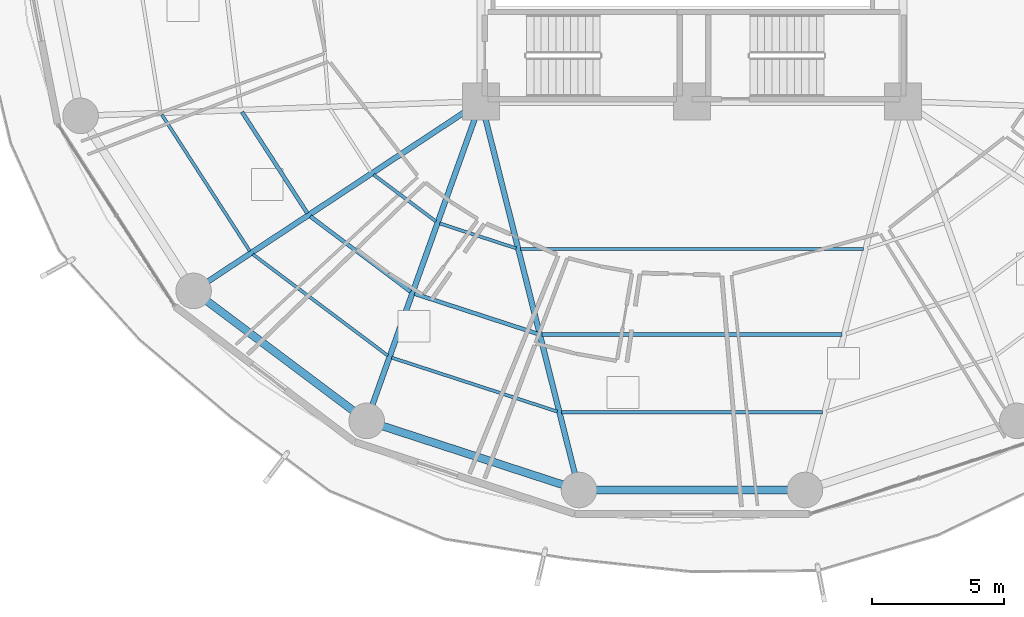
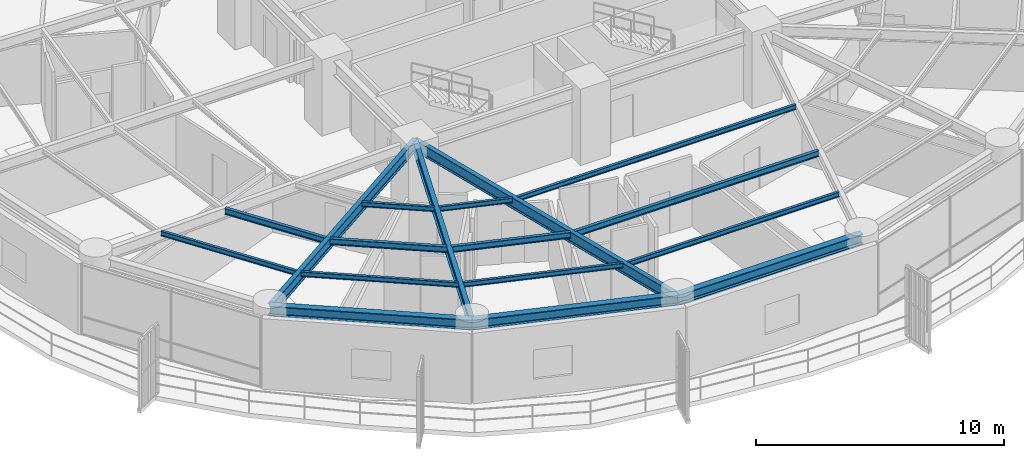
# One storey, part 3 of 33: 17 beams.
"""IFC4 building model written with IfcOpenShell, lengths in metres."""

import ifcopenshell
import ifcopenshell.guid

model = None  # the IFC model being written
_history = None  # IfcOwnerHistory: only IFC2X3 demands one
_inside = {}  # id of a spatial element -> (the spatial element, [elements in it])
_under = {}  # id of a project, library or spatial element -> (it, [spatial elements below it])
_declared = {}  # id of a project -> (the project, [libraries it declares])
_typed = {}  # id of a type object -> (the type object, [elements of that type])
_made_of = {}  # id of a material, layer set ... -> (it, [elements and type objects made of it])


def new_model(schema):
    """Start an empty IFC model of exactly this schema.

    Asked for "IFC4X3", IfcOpenShell would pick the latest addendum, in which some entities
    have other attributes; the version numbers below select the first issue.
    IFC2X3 requires an IfcOwnerHistory on every rooted entity: one is made here for all.
    """
    global model, _history
    if schema == "IFC4X3":
        model = ifcopenshell.file(schema_version=(4, 3, 0, 0))
    else:
        model = ifcopenshell.file(schema=schema)
    _inside.clear()
    _under.clear()
    _declared.clear()
    _typed.clear()
    _made_of.clear()
    _history = None
    if model.schema == "IFC2X3":
        org = make("IfcOrganization", Name="unknown")
        user = make(
            "IfcPersonAndOrganization",
            ThePerson=make("IfcPerson", FamilyName="unknown"),
            TheOrganization=org,
        )
        app = make(
            "IfcApplication",
            ApplicationDeveloper=org,
            Version="unknown",
            ApplicationFullName="unknown",
            ApplicationIdentifier="unknown",
        )
        _history = make(
            "IfcOwnerHistory",
            OwningUser=user,
            OwningApplication=app,
            ChangeAction="ADDED",
            CreationDate=0,
        )
    return model


def make(cls, **values):
    """One entity of the class cls with the attributes given. An attribute that is None is left unset."""
    return model.create_entity(
        cls, **{name: value for name, value in values.items() if value is not None}
    )


def rooted(cls, **values):
    """An entity with a GlobalId (a new one), such as an element, a storey or a relation."""
    return make(cls, GlobalId=ifcopenshell.guid.new(), OwnerHistory=_history, **values)


def si_unit(unit_type, name, prefix=None):
    """IfcSIUnit, for example si_unit("LENGTHUNIT", "METRE", prefix="MILLI")."""
    return make("IfcSIUnit", UnitType=unit_type, Prefix=prefix, Name=name)


def assignment(units):
    """IfcUnitAssignment: the units of a project."""
    return None if units is None else make("IfcUnitAssignment", Units=units)


def point(xyz):
    """IfcCartesianPoint."""
    return None if xyz is None else make("IfcCartesianPoint", Coordinates=xyz)


def direction(xyz):
    """IfcDirection."""
    return None if xyz is None else make("IfcDirection", DirectionRatios=xyz)


def frame(location, z_axis=None, x_axis=None):
    """IfcAxis2Placement3D, a coordinate frame: its origin and axes. An axis left out is left unset."""
    return make(
        "IfcAxis2Placement3D",
        Location=point(location),
        Axis=direction(z_axis),
        RefDirection=direction(x_axis),
    )


def frame_2d(location, x_axis=None):
    """IfcAxis2Placement2D, a coordinate frame in the plane: its origin and x axis."""
    return make(
        "IfcAxis2Placement2D", Location=point(location), RefDirection=direction(x_axis)
    )


def origin():
    """The frame at (0, 0, 0) with its axes left unset."""
    return frame((0.0, 0.0, 0.0))


def origin_2d():
    """The frame at (0, 0) in the plane with its x axis left unset."""
    return frame_2d((0.0, 0.0))


def place(relative_to, where):
    """IfcLocalPlacement: puts the frame where relative to a parent placement (None: the world)."""
    return make(
        "IfcLocalPlacement", PlacementRelTo=relative_to, RelativePlacement=where
    )


def context(
    kind, dimensions, precision=None, world=None, true_north=None, identifier=None
):
    """IfcGeometricRepresentationContext, for example the 3D "Model" context."""
    return make(
        "IfcGeometricRepresentationContext",
        ContextIdentifier=identifier,
        ContextType=kind,
        CoordinateSpaceDimension=dimensions,
        Precision=precision,
        WorldCoordinateSystem=world,
        TrueNorth=true_north,
    )


def subcontext(parent, identifier, kind, view, scale=None):
    """IfcGeometricRepresentationSubContext, for example "Body" below "Model"."""
    return make(
        "IfcGeometricRepresentationSubContext",
        ContextIdentifier=identifier,
        ContextType=kind,
        ParentContext=parent,
        TargetScale=scale,
        TargetView=view,
    )


def project(units=None, contexts=None):
    """IfcProject with its units and contexts."""
    return rooted(
        "IfcProject",
        Name="project",
        RepresentationContexts=contexts,
        UnitsInContext=assignment(units),
    )


def spatial(cls, under=None, at=None, **own):
    """A site, building, storey or space (cls), placed at a placement, below another one or the project."""
    s = rooted(cls, ObjectPlacement=at, **own)
    if under is not None:
        _under.setdefault(under.id(), (under, []))[1].append(s)
    return s


def profile(cls, at=None, kind="AREA", **sizes):
    """A parametric profile (cls). Its sizes go by their IFC names, for example OverallWidth=200.0."""
    return make(cls, ProfileType=kind, Position=at, **sizes)


def i_section(**sizes):
    """IfcIShapeProfileDef."""
    return profile("IfcIShapeProfileDef", **sizes)


def extrude(swept, where, along, depth):
    """IfcExtrudedAreaSolid: the profile swept, set in the frame where, extruded along a direction by depth."""
    return make(
        "IfcExtrudedAreaSolid",
        SweptArea=swept,
        Position=where,
        ExtrudedDirection=direction(along),
        Depth=depth,
    )


def shape(context_of_items, identifier, shape_type, items):
    """IfcShapeRepresentation: the items that make up one representation, for example the "Body"."""
    return make(
        "IfcShapeRepresentation",
        ContextOfItems=context_of_items,
        RepresentationIdentifier=identifier,
        RepresentationType=shape_type,
        Items=items,
    )


def material(Name=None, Category=None):
    """IfcMaterial."""
    return make("IfcMaterial", Name=Name, Category=Category)


def material_profile(
    of_material, cross_section, Name=None, Category=None, Priority=None
):
    """IfcMaterialProfile: a cross section and its material."""
    return make(
        "IfcMaterialProfile",
        Name=Name,
        Material=of_material,
        Profile=cross_section,
        Priority=Priority,
        Category=Category,
    )


def profile_set(profiles, Name=None, composite=None):
    """IfcMaterialProfileSet."""
    return make(
        "IfcMaterialProfileSet",
        Name=Name,
        MaterialProfiles=profiles,
        CompositeProfile=composite,
    )


def made_of(thing, what):
    """Note that an element or type object is made of a material, layer set ...; save() writes the relation."""
    if what is not None:
        _made_of.setdefault(what.id(), (what, []))[1].append(thing)
    return thing


def type_object(cls, material=None, **own):
    """A type object (cls), such as IfcWallType, which elements share."""
    return made_of(rooted(cls, **own), material)


def element(
    cls,
    number,
    at=None,
    inside=None,
    cuts=None,
    type_object=None,
    material=None,
    context=None,
    identifier="Body",
    shape_type=None,
    held_by="IfcProductDefinitionShape",
    body=None,
    shapes=None,
    **own,
):
    """One element of the class cls, such as IfcWall. Its Tag is "e" and its number.

    at: its placement. inside: the storey or other place that contains it. cuts: it is an
    opening in that element (IfcRelVoidsElement). A single representation is given by context,
    identifier, shape_type and body (its items); several are given by shapes. held_by: the class
    of the entity that holds the representations. save() writes the other relations.
    """
    e = rooted(cls, Tag="e%d" % number, ObjectPlacement=at, **own)
    if body is not None:
        shapes = [shape(context, identifier, shape_type, body)]
    if shapes is not None:
        e.Representation = make(held_by, Representations=shapes)
    if inside is not None:
        _inside.setdefault(inside.id(), (inside, []))[1].append(e)
    if cuts is not None:
        rooted(
            "IfcRelVoidsElement", RelatingBuildingElement=cuts, RelatedOpeningElement=e
        )
    if type_object is not None:
        _typed.setdefault(type_object.id(), (type_object, []))[1].append(e)
    return made_of(e, material)


def aggregate(whole, parts):
    """IfcRelAggregates: a whole, such as a stair, and the parts it consists of."""
    return rooted("IfcRelAggregates", RelatingObject=whole, RelatedObjects=parts)


def save(model, path):
    """Write the relations noted so far, then the file.

    IfcRelAggregates (storeys below a building ...), IfcRelContainedInSpatialStructure (elements
    in a storey), IfcRelDefinesByType, IfcRelAssociatesMaterial and IfcRelDeclares: one each for
    every whole, place, type object, material and project.
    """
    for whole, parts in _under.values():
        aggregate(whole, parts)
    for where, things in _inside.values():
        rooted(
            "IfcRelContainedInSpatialStructure",
            RelatedElements=things,
            RelatingStructure=where,
        )
    for kind, things in _typed.values():
        rooted("IfcRelDefinesByType", RelatedObjects=things, RelatingType=kind)
    for what, things in _made_of.values():
        rooted("IfcRelAssociatesMaterial", RelatedObjects=things, RelatingMaterial=what)
    for by, libraries in _declared.values():
        rooted("IfcRelDeclares", RelatingContext=by, RelatedDefinitions=libraries)
    model.write(path)


model = new_model("IFC4")

# Units and contexts
model_context = context("Model", 3, precision=1e-05, world=origin(), true_north=direction((0.0, 1.0)))
body_context = subcontext(model_context, "Body", "Model", "MODEL_VIEW")
ifc_project = project(units=[si_unit("LENGTHUNIT", "METRE"), si_unit("AREAUNIT", "SQUARE_METRE"), si_unit("VOLUMEUNIT", "CUBIC_METRE"), si_unit("PLANEANGLEUNIT", "RADIAN"), si_unit("MASSUNIT", "GRAM", prefix="KILO")], contexts=[model_context])

# Site, building, storey
site_placement = place(None, origin())
site = spatial("IfcSite", under=ifc_project, at=site_placement, CompositionType="ELEMENT")
building_placement = place(site_placement, origin())
building = spatial("IfcBuilding", under=site, at=building_placement, Name="Kelanora Arch Commons", CompositionType="ELEMENT")
storey_placement = place(building_placement, frame((0.0, 0.0, 80.10009765625)))
storey = spatial("IfcBuildingStorey", under=building, at=storey_placement, Name="L20", CompositionType="ELEMENT", Elevation=80.10009765625)

# Beams
ifc_material = material(Name="Steel S355", Category="steel")
ifc_material_profile_1 = material_profile(ifc_material, i_section(OverallWidth=0.14990234375, OverallDepth=0.300048828125, WebThickness=0.007080078125, FlangeThickness=0.0107421875, FilletRadius=0.014892578125, at=origin_2d()), Name="IPE300")
ifc_profile_set_1 = profile_set([ifc_material_profile_1], Name="Steel S355")
beam_type_1 = type_object("IfcBeamType", Name="BM-JST-01", PredefinedType="JOIST", material=ifc_profile_set_1)
beam_1_placement = place(storey_placement, frame((56.93115234375, 50.597412109375, 3.33984375), z_axis=(0.542230243286, -0.840229946661, 0.0), x_axis=(0.840229946661, 0.542230243286, 0.0)))
element("IfcBeam", 1, at=beam_1_placement, inside=storey, type_object=beam_type_1, Name="Secondary Chord Joist BJB-20 L20", PredefinedType="JOIST", context=body_context, shape_type="SweptSolid", body=[
    extrude(i_section(OverallWidth=0.14990234375, OverallDepth=0.300048828125, WebThickness=0.007080078125, FlangeThickness=0.0107421875, FilletRadius=0.014892578125, at=origin_2d()), origin(), (0.0, 0.0, 1.0), 4.572265625),
])
beam_2_placement = place(storey_placement, frame((59.5244140625, 46.63330078125, 3.33984375), z_axis=(0.79971039107, -0.600385951214, 0.0), x_axis=(0.600385951214, 0.79971039107, 0.0)))
element("IfcBeam", 2, at=beam_2_placement, inside=storey, type_object=beam_type_1, Name="Secondary Chord Joist BJB-22 L20", PredefinedType="JOIST", context=body_context, shape_type="SweptSolid", body=[
    extrude(i_section(OverallWidth=0.14990234375, OverallDepth=0.300048828125, WebThickness=0.007080078125, FlangeThickness=0.0107421875, FilletRadius=0.014892578125, at=origin_2d()), origin(), (0.0, 0.0, 1.0), 4.756103515625),
])
beam_3_placement = place(storey_placement, frame((63.476806640625, 43.70068359375, 3.33984375), z_axis=(0.950857140254, -0.309629938521, 0.0), x_axis=(0.309629938521, 0.950857140254, 0.0)))
element("IfcBeam", 3, at=beam_3_placement, inside=storey, type_object=beam_type_1, Name="Secondary Chord Joist BJB-24 L20", PredefinedType="JOIST", context=body_context, shape_type="SweptSolid", body=[
    extrude(i_section(OverallWidth=0.14990234375, OverallDepth=0.300048828125, WebThickness=0.007080078125, FlangeThickness=0.0107421875, FilletRadius=0.014892578125, at=origin_2d()), origin(), (0.0, 0.0, 1.0), 4.912353515625),
])
beam_4_placement = place(storey_placement, frame((68.313720703125, 42.1533203125, 3.33984375), z_axis=(1.0, 0.0, 0.0), x_axis=(0.0, 1.0, 0.0)))
element("IfcBeam", 4, at=beam_4_placement, inside=storey, type_object=beam_type_1, Name="Secondary Chord Joist BJB-26 L20", PredefinedType="JOIST", context=body_context, shape_type="SweptSolid", body=[
    extrude(i_section(OverallWidth=0.14990234375, OverallDepth=0.300048828125, WebThickness=0.007080078125, FlangeThickness=0.0107421875, FilletRadius=0.014892578125, at=origin_2d()), origin(), (0.0, 0.0, 1.0), 11.37255859375),
])
ifc_material_profile_2 = material_profile(ifc_material, i_section(OverallWidth=0.1201171875, OverallDepth=0.239990234375, WebThickness=0.006103515625, FlangeThickness=0.009765625, FilletRadius=0.014892578125, at=origin_2d()), Name="IPE240")
ifc_profile_set_2 = profile_set([ifc_material_profile_2], Name="Steel S355")
beam_type_2 = type_object("IfcBeamType", Name="BM-JST-02", PredefinedType="JOIST", material=ifc_profile_set_2)
beam_5_placement = place(storey_placement, frame((53.892822265625, 50.487060546875, 3.369873046875), z_axis=(0.542212726273, -0.840241250754, 0.0), x_axis=(0.840241250754, 0.542212726273, 0.0)))
element("IfcBeam", 5, at=beam_5_placement, inside=storey, type_object=beam_type_2, Name="Secondary Chord Joist BJC-20 L20", PredefinedType="JOIST", context=body_context, shape_type="SweptSolid", body=[
    extrude(i_section(OverallWidth=0.1201171875, OverallDepth=0.239990234375, WebThickness=0.006103515625, FlangeThickness=0.009765625, FilletRadius=0.014892578125, at=origin_2d()), origin(), (0.0, 0.0, 1.0), 6.15283203125),
])
beam_6_placement = place(storey_placement, frame((61.923583984375, 48.2158203125, 3.369873046875), z_axis=(0.799692034361, -0.600410401458, 0.0), x_axis=(0.600410401458, 0.799692034361, 0.0)))
element("IfcBeam", 6, at=beam_6_placement, inside=storey, type_object=beam_type_2, Name="Secondary Chord Joist BJA-22 L20", PredefinedType="JOIST", context=body_context, shape_type="SweptSolid", body=[
    extrude(i_section(OverallWidth=0.1201171875, OverallDepth=0.239990234375, WebThickness=0.006103515625, FlangeThickness=0.009765625, FilletRadius=0.014892578125, at=origin_2d()), origin(), (0.0, 0.0, 1.0), 2.949951171875),
])
beam_7_placement = place(storey_placement, frame((57.34326171875, 45.194580078125, 3.369873046875), z_axis=(0.799734335646, -0.600354055861, 0.0), x_axis=(0.600354055861, 0.799734335646, 0.0)))
element("IfcBeam", 7, at=beam_7_placement, inside=storey, type_object=beam_type_2, Name="Secondary Chord Joist BJC-22 L20", PredefinedType="JOIST", context=body_context, shape_type="SweptSolid", body=[
    extrude(i_section(OverallWidth=0.1201171875, OverallDepth=0.239990234375, WebThickness=0.006103515625, FlangeThickness=0.009765625, FilletRadius=0.014892578125, at=origin_2d()), origin(), (0.0, 0.0, 1.0), 6.39794921875),
])
beam_8_placement = place(storey_placement, frame((64.431640625, 46.367431640625, 3.369873046875), z_axis=(0.950846758946, -0.309661817151, 0.0), x_axis=(0.309661817151, 0.950846758946, 0.0)))
element("IfcBeam", 8, at=beam_8_placement, inside=storey, type_object=beam_type_2, Name="Secondary Chord Joist BJA-24 L20", PredefinedType="JOIST", context=body_context, shape_type="SweptSolid", body=[
    extrude(i_section(OverallWidth=0.1201171875, OverallDepth=0.239990234375, WebThickness=0.006103515625, FlangeThickness=0.009765625, FilletRadius=0.014892578125, at=origin_2d()), origin(), (0.0, 0.0, 1.0), 3.048828125),
])
beam_9_placement = place(storey_placement, frame((62.60888671875, 41.276123046875, 3.369873046875), z_axis=(0.950862829272, -0.309612467301, 0.0), x_axis=(0.309612467301, 0.950862829272, 0.0)))
element("IfcBeam", 9, at=beam_9_placement, inside=storey, type_object=beam_type_2, Name="Secondary Chord Joist BJC-24 L20", PredefinedType="JOIST", context=body_context, shape_type="SweptSolid", body=[
    extrude(i_section(OverallWidth=0.1201171875, OverallDepth=0.239990234375, WebThickness=0.006103515625, FlangeThickness=0.009765625, FilletRadius=0.014892578125, at=origin_2d()), origin(), (0.0, 0.0, 1.0), 6.6064453125),
])
beam_10_placement = place(storey_placement, frame((67.49658203125, 45.397216796875, 3.369873046875), z_axis=(1.0, 0.0, 0.0), x_axis=(0.0, 1.0, 0.0)))
element("IfcBeam", 10, at=beam_10_placement, inside=storey, type_object=beam_type_2, Name="Secondary Chord Joist BJA-26 L20", PredefinedType="JOIST", context=body_context, shape_type="SweptSolid", body=[
    extrude(i_section(OverallWidth=0.1201171875, OverallDepth=0.239990234375, WebThickness=0.006103515625, FlangeThickness=0.009765625, FilletRadius=0.014892578125, at=origin_2d()), origin(), (0.0, 0.0, 1.0), 13.0068359375),
])
beam_11_placement = place(storey_placement, frame((69.056396484375, 39.204345703125, 3.369873046875), z_axis=(1.0, 0.0, 0.0), x_axis=(0.0, 1.0, 0.0)))
element("IfcBeam", 11, at=beam_11_placement, inside=storey, type_object=beam_type_2, Name="Secondary Chord Joist BJC-26 L20", PredefinedType="JOIST", context=body_context, shape_type="SweptSolid", body=[
    extrude(i_section(OverallWidth=0.1201171875, OverallDepth=0.239990234375, WebThickness=0.006103515625, FlangeThickness=0.009765625, FilletRadius=0.014892578125, at=origin_2d()), origin(), (0.0, 0.0, 1.0), 9.88720703125),
])
ifc_material_profile_3 = material_profile(ifc_material, i_section(OverallWidth=0.2099609375, OverallDepth=0.550048828125, WebThickness=0.010986328125, FlangeThickness=0.01708984375, FilletRadius=0.02392578125, at=origin_2d()), Name="IPE550")
ifc_profile_set_3 = profile_set([ifc_material_profile_3], Name="Steel S355")
beam_type_3 = type_object("IfcBeamType", Name="BM-RAD-Z2", PredefinedType="BEAM", material=ifc_profile_set_3)
beam_12_placement = place(storey_placement, frame((66.0, 51.0, 3.21484375), z_axis=(-0.834788577908, -0.550570640512, 0.0), x_axis=(0.550570640512, -0.834788577908, 0.0)))
element("IfcBeam", 12, at=beam_12_placement, inside=storey, type_object=beam_type_3, Name="Radial Floor Girder BR-22 L20", PredefinedType="BEAM", context=body_context, shape_type="SweptSolid", body=[
    extrude(i_section(OverallWidth=0.2099609375, OverallDepth=0.550048828125, WebThickness=0.010986328125, FlangeThickness=0.01708984375, FilletRadius=0.02392578125, at=origin_2d()), origin(), (0.0, 0.0, 1.0), 13.064453125),
])
beam_13_placement = place(storey_placement, frame((66.0, 51.0, 3.21484375), z_axis=(-0.337084640008, -0.941474346687, 0.0), x_axis=(0.941474346687, -0.337084640008, 0.0)))
element("IfcBeam", 13, at=beam_13_placement, inside=storey, type_object=beam_type_3, Name="Radial Floor Girder BR-24 L20", PredefinedType="BEAM", context=body_context, shape_type="SweptSolid", body=[
    extrude(i_section(OverallWidth=0.2099609375, OverallDepth=0.550048828125, WebThickness=0.010986328125, FlangeThickness=0.01708984375, FilletRadius=0.02392578125, at=origin_2d()), origin(), (0.0, 0.0, 1.0), 12.875244140625),
])
beam_14_placement = place(storey_placement, frame((66.0, 51.0, 3.21484375), z_axis=(0.244280647475, -0.969704576286, 0.0), x_axis=(0.969704576286, 0.244280647475, 0.0)))
element("IfcBeam", 14, at=beam_14_placement, inside=storey, type_object=beam_type_3, Name="Radial Floor Girder BR-26 L20", PredefinedType="BEAM", context=body_context, shape_type="SweptSolid", body=[
    extrude(i_section(OverallWidth=0.2099609375, OverallDepth=0.550048828125, WebThickness=0.010986328125, FlangeThickness=0.01708984375, FilletRadius=0.02392578125, at=origin_2d()), origin(), (0.0, 0.0, 1.0), 15.205322265625),
])
ifc_material_profile_4 = material_profile(ifc_material, i_section(OverallWidth=0.300048828125, OverallDepth=0.5, WebThickness=0.014404296875, FlangeThickness=0.028076171875, FilletRadius=0.027099609375, at=origin_2d()), Name="HEB500")
ifc_profile_set_4 = profile_set([ifc_material_profile_4], Name="Steel S355")
beam_type_4 = type_object("IfcBeamType", Name="BM-SPN-Z2", PredefinedType="SPANDREL", material=ifc_profile_set_4)
beam_15_placement = place(storey_placement, frame((55.093994140625, 43.80712890625, 3.239990234375), z_axis=(0.799735861602, -0.600352023123, 0.0), x_axis=(0.600352023123, 0.799735861602, 0.0)))
element("IfcBeam", 15, at=beam_15_placement, inside=storey, type_object=beam_type_4, Name="Perimeter Spandrel Beam BS-22 L20", PredefinedType="SPANDREL", context=body_context, shape_type="SweptSolid", body=[
    extrude(i_section(OverallWidth=0.300048828125, OverallDepth=0.5, WebThickness=0.014404296875, FlangeThickness=0.028076171875, FilletRadius=0.027099609375, at=origin_2d()), origin(), (0.0, 0.0, 1.0), 8.210205078125),
])
beam_16_placement = place(storey_placement, frame((61.659912109375, 38.878173828125, 3.239990234375), z_axis=(0.950856631974, -0.309631499418, 0.0), x_axis=(0.309631499418, 0.950856631974, 0.0)))
element("IfcBeam", 16, at=beam_16_placement, inside=storey, type_object=beam_type_4, Name="Perimeter Spandrel Beam BS-24 L20", PredefinedType="SPANDREL", context=body_context, shape_type="SweptSolid", body=[
    extrude(i_section(OverallWidth=0.300048828125, OverallDepth=0.5, WebThickness=0.014404296875, FlangeThickness=0.028076171875, FilletRadius=0.027099609375, at=origin_2d()), origin(), (0.0, 0.0, 1.0), 8.470703125),
])
beam_17_placement = place(storey_placement, frame((69.71435546875, 36.25537109375, 3.239990234375), z_axis=(1.0, 0.0, 0.0), x_axis=(0.0, 1.0, 0.0)))
element("IfcBeam", 17, at=beam_17_placement, inside=storey, type_object=beam_type_4, Name="Perimeter Spandrel Beam BS-26 L20", PredefinedType="SPANDREL", context=body_context, shape_type="SweptSolid", body=[
    extrude(i_section(OverallWidth=0.300048828125, OverallDepth=0.5, WebThickness=0.014404296875, FlangeThickness=0.028076171875, FilletRadius=0.027099609375, at=origin_2d()), origin(), (0.0, 0.0, 1.0), 8.5712890625),
])

save(model, "model.ifc")
